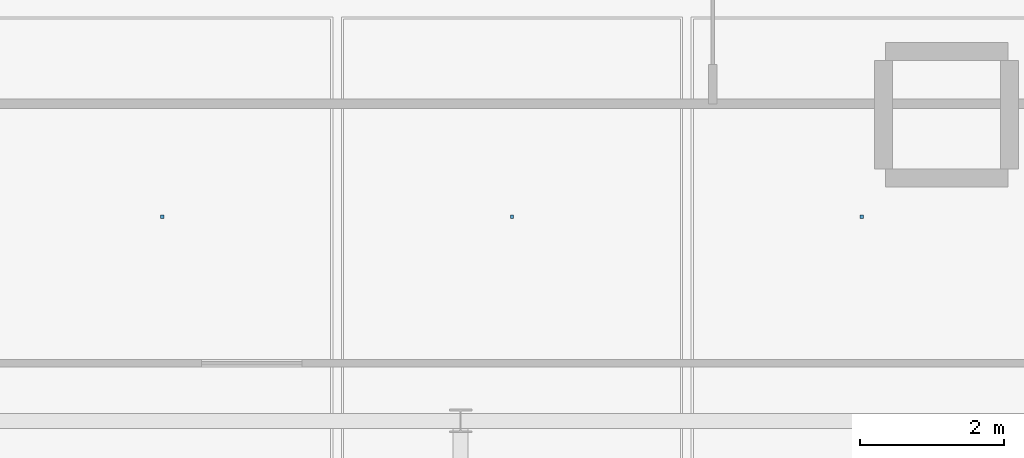
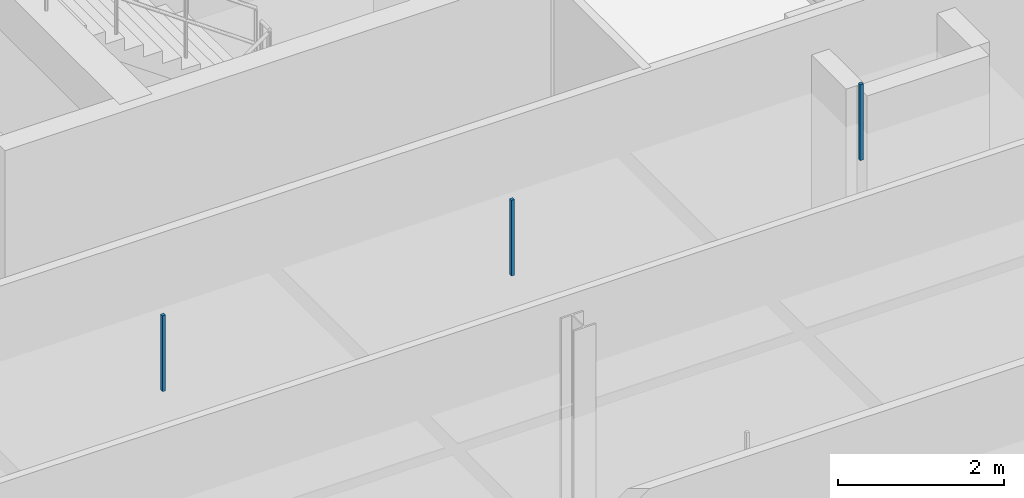
# One storey, part 61 of 66: 3 discrete accessories.
"""IFC4 building model written with IfcOpenShell, lengths in metres."""

from ifc_helpers import new_model, si_unit, direction, frame, origin, origin_2d, place, context, subcontext, project, spatial, rectangle, extrude, material, type_object, element, save


model = new_model("IFC4")

# Units and contexts
model_context = context("Model", 3, precision=1e-05, world=origin(), true_north=direction((0.0, 1.0)))
body_context = subcontext(model_context, "Body", "Model", "MODEL_VIEW")
ifc_project = project(units=[si_unit("LENGTHUNIT", "METRE"), si_unit("AREAUNIT", "SQUARE_METRE"), si_unit("VOLUMEUNIT", "CUBIC_METRE"), si_unit("PLANEANGLEUNIT", "RADIAN"), si_unit("MASSUNIT", "GRAM", prefix="KILO"), si_unit("THERMODYNAMICTEMPERATUREUNIT", "KELVIN"), si_unit("POWERUNIT", "WATT")], contexts=[model_context])

# Site, building, storey
site_placement = place(None, origin())
site = spatial("IfcSite", under=ifc_project, at=site_placement, CompositionType="ELEMENT")
building_placement = place(site_placement, origin())
building = spatial("IfcBuilding", under=site, at=building_placement, Name="Tallowbark Science Centre", CompositionType="ELEMENT")
storey_placement = place(building_placement, frame((0.0, 0.0, 18.89990234375)))
storey = spatial("IfcBuildingStorey", under=building, at=storey_placement, Name="L04", CompositionType="ELEMENT", Elevation=18.89990234375)

# Discrete accessories
ifc_material = material(Name="Galvanised Steel Grade C350L0 (350 MPa)", Category="steel")
discrete_accessory_type = type_object("IfcDiscreteAccessoryType", Name="ACC-CLG-HNG", PredefinedType="BRACKET", material=ifc_material)
for number, where, z_axis, x_axis, name in (
    (1, (135.357177734375, 92.833251953125, 3.2060546875), (0.0, 0.0, 1.0), (1.0, 0.0, 0.0), "Ceiling Hanger Bracket L04-1131"),
    (2, (140.21435546875, 92.833251953125, 3.2060546875), (0.0, 0.0, 1.0), (1.0, 0.0, 0.0), "Ceiling Hanger Bracket L04-1135"),
    (3, (145.0712890625, 92.833251953125, 3.2060546875), (0.0, 0.0, 1.0), (1.0, 0.0, 0.0), "Ceiling Hanger Bracket L04-1139"),
):
    element("IfcDiscreteAccessory", number, at=place(storey_placement, frame(where, z_axis=z_axis, x_axis=x_axis)), inside=storey, type_object=discrete_accessory_type, Name=name, PredefinedType="BRACKET", context=body_context, shape_type="SweptSolid", body=[
        extrude(rectangle(XDim=0.044921875, YDim=0.044921875, at=origin_2d()), origin(), (0.0, 0.0, 1.0), 1.116943359375),
    ])

save(model, "model.ifc")
